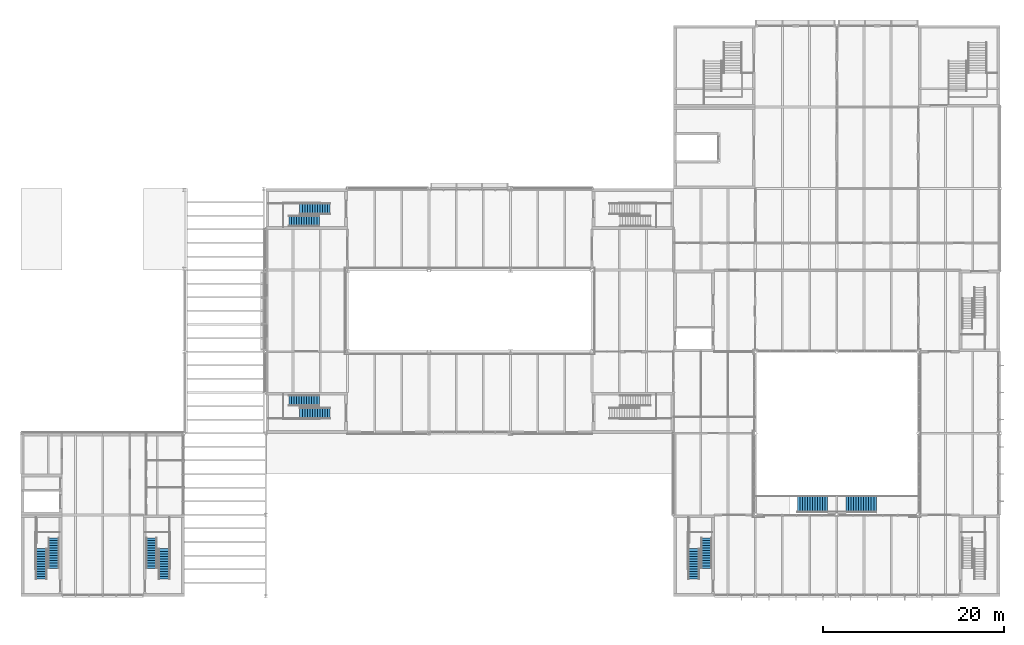
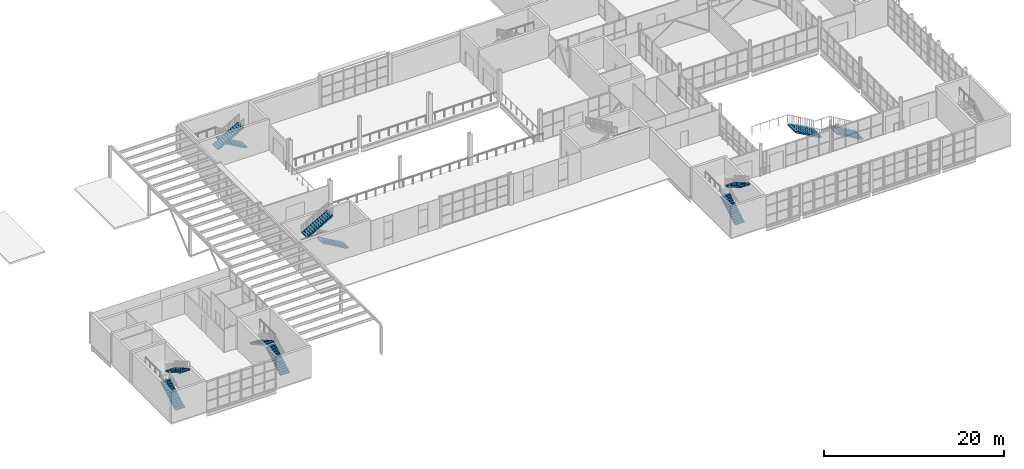
# One storey, part 37 of 57: 12 stair flights, 6 elements without a shape of their own.
"""IFC4 building model written with IfcOpenShell, lengths in metres."""

from ifc_helpers import new_model, si_unit, direction, frame, origin, place, context, subcontext, project, spatial, polyline, outline, extrude, material, type_object, element, aggregate, save


model = new_model("IFC4")

# Units and contexts
model_context = context("Model", 3, precision=1e-05, world=origin(), true_north=direction((0.0, 1.0)))
body_context = subcontext(model_context, "Body", "Model", "MODEL_VIEW")
ifc_project = project(units=[si_unit("LENGTHUNIT", "METRE"), si_unit("AREAUNIT", "SQUARE_METRE"), si_unit("VOLUMEUNIT", "CUBIC_METRE"), si_unit("PLANEANGLEUNIT", "RADIAN"), si_unit("MASSUNIT", "GRAM", prefix="KILO")], contexts=[model_context])

# Site, building, storey
site_placement = place(None, origin())
site = spatial("IfcSite", under=ifc_project, at=site_placement, CompositionType="ELEMENT")
building_placement = place(site_placement, origin())
building = spatial("IfcBuilding", under=site, at=building_placement, Name="Halyard Row Museum", CompositionType="ELEMENT")
storey_placement = place(building_placement, frame((0.0, 0.0, 5.0)))
storey = spatial("IfcBuildingStorey", under=building, at=storey_placement, Name="L01", CompositionType="ELEMENT", Elevation=5.0)

# Stair, stair flights
ifc_material_1 = material(Name="Concrete 40 MPa", Category="concrete")
stair_type_1 = type_object("IfcStairType", Name="Exit stair two flights 1200", PredefinedType="HALF_TURN_STAIR", material=ifc_material_1)
stair_1_placement = place(storey_placement, origin())
stair_1 = element("IfcStair", 1, at=stair_1_placement, inside=storey, type_object=stair_type_1, Name="Exit stair K1A L01", PredefinedType="HALF_TURN_STAIR")
ifc_material_2 = material(Name="Concrete 40 MPa", Category="concrete")
stair_flight_type_1 = type_object("IfcStairFlightType", Name="Exit stair flight 1200", PredefinedType="STRAIGHT", material=ifc_material_2)
stair_flight_1_placement = place(storey_placement, frame((34.10009765625, 42.75, 0.0), z_axis=(0.0, 0.0, 1.0), x_axis=(-1.0, 0.0, 0.0)))
stair_flight_1 = element("IfcStairFlight", 2, at=stair_flight_1_placement, type_object=stair_flight_type_1, Name="STK1A-L01 flight 1", NumberOfRisers=13, NumberOfTreads=12, PredefinedType="STRAIGHT", RiserHeight=0.161538462, TreadLength=0.28, context=body_context, shape_type="SweptSolid", body=[
    extrude(outline(polyline([(0.0, 0.0), (0.0, 0.16162109375), (0.280029296875, 0.16162109375), (0.280029296875, 0.322998046875), (0.56005859375, 0.322998046875), (0.56005859375, 0.484619140625), (0.840087890625, 0.484619140625), (0.840087890625, 0.646240234375), (1.1201171875, 0.646240234375), (1.1201171875, 0.8076171875), (1.39990234375, 0.8076171875), (1.39990234375, 0.96923828125), (1.679931640625, 0.96923828125), (1.679931640625, 1.130859375), (1.9599609375, 1.130859375), (1.9599609375, 1.292236328125), (2.239990234375, 1.292236328125), (2.239990234375, 1.453857421875), (2.52001953125, 1.453857421875), (2.52001953125, 1.615478515625), (2.800048828125, 1.615478515625), (2.800048828125, 1.77685546875), (3.080078125, 1.77685546875), (3.080078125, 1.9384765625), (3.360107421875, 1.9384765625), (3.360107421875, 2.10009765625), (3.360107421875, 1.765380859375), (0.300048828125, 0.0), (0.0, 0.0)])), frame((0.0, 0.60009765625, 0.0), z_axis=(0.0, -1.0, 0.0), x_axis=(1.0, 0.0, 0.0)), (0.0, 0.0, 1.0), 0.59912109375),
    extrude(outline(polyline([(0.0, 0.0), (0.0, 0.16162109375), (0.280029296875, 0.16162109375), (0.280029296875, 0.322998046875), (0.56005859375, 0.322998046875), (0.56005859375, 0.484619140625), (0.840087890625, 0.484619140625), (0.840087890625, 0.646240234375), (1.1201171875, 0.646240234375), (1.1201171875, 0.8076171875), (1.39990234375, 0.8076171875), (1.39990234375, 0.96923828125), (1.679931640625, 0.96923828125), (1.679931640625, 1.130859375), (1.9599609375, 1.130859375), (1.9599609375, 1.292236328125), (2.239990234375, 1.292236328125), (2.239990234375, 1.453857421875), (2.52001953125, 1.453857421875), (2.52001953125, 1.615478515625), (2.800048828125, 1.615478515625), (2.800048828125, 1.77685546875), (3.080078125, 1.77685546875), (3.080078125, 1.9384765625), (3.360107421875, 1.9384765625), (3.360107421875, 2.10009765625), (3.360107421875, 1.765380859375), (0.300048828125, 0.0), (0.0, 0.0)])), frame((0.0, -0.0009765625, 0.0), z_axis=(0.0, -1.0, 0.0), x_axis=(1.0, 0.0, 0.0)), (0.0, 0.0, 1.0), 0.59912109375),
])
stair_flight_2_placement = place(storey_placement, frame((29.5400390625, 41.39990234375, 2.10009765625), z_axis=(0.0, 0.0, 1.0), x_axis=(1.0, 0.0, 0.0)))
stair_flight_2 = element("IfcStairFlight", 3, at=stair_flight_2_placement, type_object=stair_flight_type_1, Name="STK1A-L01 flight 2", NumberOfRisers=13, NumberOfTreads=12, PredefinedType="STRAIGHT", RiserHeight=0.161538462, TreadLength=0.28, context=body_context, shape_type="SweptSolid", body=[
    extrude(outline(polyline([(0.0, 0.0), (0.0, 0.16162109375), (0.280029296875, 0.16162109375), (0.280029296875, 0.322998046875), (0.56005859375, 0.322998046875), (0.56005859375, 0.484619140625), (0.840087890625, 0.484619140625), (0.840087890625, 0.646240234375), (1.1201171875, 0.646240234375), (1.1201171875, 0.8076171875), (1.39990234375, 0.8076171875), (1.39990234375, 0.96923828125), (1.679931640625, 0.96923828125), (1.679931640625, 1.130859375), (1.9599609375, 1.130859375), (1.9599609375, 1.292236328125), (2.239990234375, 1.292236328125), (2.239990234375, 1.453857421875), (2.52001953125, 1.453857421875), (2.52001953125, 1.615478515625), (2.800048828125, 1.615478515625), (2.800048828125, 1.77685546875), (3.080078125, 1.77685546875), (3.080078125, 1.9384765625), (3.360107421875, 1.9384765625), (3.360107421875, 2.10009765625), (3.360107421875, 1.765380859375), (0.300048828125, 0.0), (0.0, 0.0)])), frame((0.0, 0.60009765625, 0.0), z_axis=(0.0, -1.0, 0.0), x_axis=(1.0, 0.0, 0.0)), (0.0, 0.0, 1.0), 0.59912109375),
    extrude(outline(polyline([(0.0, 0.0), (0.0, 0.16162109375), (0.280029296875, 0.16162109375), (0.280029296875, 0.322998046875), (0.56005859375, 0.322998046875), (0.56005859375, 0.484619140625), (0.840087890625, 0.484619140625), (0.840087890625, 0.646240234375), (1.1201171875, 0.646240234375), (1.1201171875, 0.8076171875), (1.39990234375, 0.8076171875), (1.39990234375, 0.96923828125), (1.679931640625, 0.96923828125), (1.679931640625, 1.130859375), (1.9599609375, 1.130859375), (1.9599609375, 1.292236328125), (2.239990234375, 1.292236328125), (2.239990234375, 1.453857421875), (2.52001953125, 1.453857421875), (2.52001953125, 1.615478515625), (2.800048828125, 1.615478515625), (2.800048828125, 1.77685546875), (3.080078125, 1.77685546875), (3.080078125, 1.9384765625), (3.360107421875, 1.9384765625), (3.360107421875, 2.10009765625), (3.360107421875, 1.765380859375), (0.300048828125, 0.0), (0.0, 0.0)])), frame((0.0, -0.0009765625, 0.0), z_axis=(0.0, -1.0, 0.0), x_axis=(1.0, 0.0, 0.0)), (0.0, 0.0, 1.0), 0.59912109375),
])
aggregate(stair_1, [stair_flight_1, stair_flight_2])

stair_2_placement = place(storey_placement, origin())
stair_2 = element("IfcStair", 4, at=stair_2_placement, inside=storey, type_object=stair_type_1, Name="Exit stair K1D L01", PredefinedType="HALF_TURN_STAIR")
stair_flight_3_placement = place(storey_placement, frame((34.10009765625, 20.25, 0.0), z_axis=(0.0, 0.0, 1.0), x_axis=(-1.0, 0.0, 0.0)))
stair_flight_3 = element("IfcStairFlight", 5, at=stair_flight_3_placement, type_object=stair_flight_type_1, Name="STK1D-L01 flight 1", NumberOfRisers=13, NumberOfTreads=12, PredefinedType="STRAIGHT", RiserHeight=0.161538462, TreadLength=0.28, context=body_context, shape_type="SweptSolid", body=[
    extrude(outline(polyline([(0.0, 0.0), (0.0, 0.16162109375), (0.280029296875, 0.16162109375), (0.280029296875, 0.322998046875), (0.56005859375, 0.322998046875), (0.56005859375, 0.484619140625), (0.840087890625, 0.484619140625), (0.840087890625, 0.646240234375), (1.1201171875, 0.646240234375), (1.1201171875, 0.8076171875), (1.39990234375, 0.8076171875), (1.39990234375, 0.96923828125), (1.679931640625, 0.96923828125), (1.679931640625, 1.130859375), (1.9599609375, 1.130859375), (1.9599609375, 1.292236328125), (2.239990234375, 1.292236328125), (2.239990234375, 1.453857421875), (2.52001953125, 1.453857421875), (2.52001953125, 1.615478515625), (2.800048828125, 1.615478515625), (2.800048828125, 1.77685546875), (3.080078125, 1.77685546875), (3.080078125, 1.9384765625), (3.360107421875, 1.9384765625), (3.360107421875, 2.10009765625), (3.360107421875, 1.765380859375), (0.300048828125, 0.0), (0.0, 0.0)])), frame((0.0, 0.60009765625, 0.0), z_axis=(0.0, -1.0, 0.0), x_axis=(1.0, 0.0, 0.0)), (0.0, 0.0, 1.0), 0.59912109375),
    extrude(outline(polyline([(0.0, 0.0), (0.0, 0.16162109375), (0.280029296875, 0.16162109375), (0.280029296875, 0.322998046875), (0.56005859375, 0.322998046875), (0.56005859375, 0.484619140625), (0.840087890625, 0.484619140625), (0.840087890625, 0.646240234375), (1.1201171875, 0.646240234375), (1.1201171875, 0.8076171875), (1.39990234375, 0.8076171875), (1.39990234375, 0.96923828125), (1.679931640625, 0.96923828125), (1.679931640625, 1.130859375), (1.9599609375, 1.130859375), (1.9599609375, 1.292236328125), (2.239990234375, 1.292236328125), (2.239990234375, 1.453857421875), (2.52001953125, 1.453857421875), (2.52001953125, 1.615478515625), (2.800048828125, 1.615478515625), (2.800048828125, 1.77685546875), (3.080078125, 1.77685546875), (3.080078125, 1.9384765625), (3.360107421875, 1.9384765625), (3.360107421875, 2.10009765625), (3.360107421875, 1.765380859375), (0.300048828125, 0.0), (0.0, 0.0)])), frame((0.0, -0.0009765625, 0.0), z_axis=(0.0, -1.0, 0.0), x_axis=(1.0, 0.0, 0.0)), (0.0, 0.0, 1.0), 0.59912109375),
])
stair_flight_4_placement = place(storey_placement, frame((29.5400390625, 21.60009765625, 2.10009765625), z_axis=(0.0, 0.0, 1.0), x_axis=(1.0, 0.0, 0.0)))
stair_flight_4 = element("IfcStairFlight", 6, at=stair_flight_4_placement, type_object=stair_flight_type_1, Name="STK1D-L01 flight 2", NumberOfRisers=13, NumberOfTreads=12, PredefinedType="STRAIGHT", RiserHeight=0.161538462, TreadLength=0.28, context=body_context, shape_type="SweptSolid", body=[
    extrude(outline(polyline([(0.0, 0.0), (0.0, 0.16162109375), (0.280029296875, 0.16162109375), (0.280029296875, 0.322998046875), (0.56005859375, 0.322998046875), (0.56005859375, 0.484619140625), (0.840087890625, 0.484619140625), (0.840087890625, 0.646240234375), (1.1201171875, 0.646240234375), (1.1201171875, 0.8076171875), (1.39990234375, 0.8076171875), (1.39990234375, 0.96923828125), (1.679931640625, 0.96923828125), (1.679931640625, 1.130859375), (1.9599609375, 1.130859375), (1.9599609375, 1.292236328125), (2.239990234375, 1.292236328125), (2.239990234375, 1.453857421875), (2.52001953125, 1.453857421875), (2.52001953125, 1.615478515625), (2.800048828125, 1.615478515625), (2.800048828125, 1.77685546875), (3.080078125, 1.77685546875), (3.080078125, 1.9384765625), (3.360107421875, 1.9384765625), (3.360107421875, 2.10009765625), (3.360107421875, 1.765380859375), (0.300048828125, 0.0), (0.0, 0.0)])), frame((0.0, 0.60009765625, 0.0), z_axis=(0.0, -1.0, 0.0), x_axis=(1.0, 0.0, 0.0)), (0.0, 0.0, 1.0), 0.59912109375),
    extrude(outline(polyline([(0.0, 0.0), (0.0, 0.16162109375), (0.280029296875, 0.16162109375), (0.280029296875, 0.322998046875), (0.56005859375, 0.322998046875), (0.56005859375, 0.484619140625), (0.840087890625, 0.484619140625), (0.840087890625, 0.646240234375), (1.1201171875, 0.646240234375), (1.1201171875, 0.8076171875), (1.39990234375, 0.8076171875), (1.39990234375, 0.96923828125), (1.679931640625, 0.96923828125), (1.679931640625, 1.130859375), (1.9599609375, 1.130859375), (1.9599609375, 1.292236328125), (2.239990234375, 1.292236328125), (2.239990234375, 1.453857421875), (2.52001953125, 1.453857421875), (2.52001953125, 1.615478515625), (2.800048828125, 1.615478515625), (2.800048828125, 1.77685546875), (3.080078125, 1.77685546875), (3.080078125, 1.9384765625), (3.360107421875, 1.9384765625), (3.360107421875, 2.10009765625), (3.360107421875, 1.765380859375), (0.300048828125, 0.0), (0.0, 0.0)])), frame((0.0, -0.0009765625, 0.0), z_axis=(0.0, -1.0, 0.0), x_axis=(1.0, 0.0, 0.0)), (0.0, 0.0, 1.0), 0.59912109375),
])
aggregate(stair_2, [stair_flight_3, stair_flight_4])

stair_3_placement = place(storey_placement, origin())
stair_3 = element("IfcStair", 7, at=stair_3_placement, inside=storey, type_object=stair_type_1, Name="Exit stair K2A L01", PredefinedType="HALF_TURN_STAIR")
stair_flight_5_placement = place(storey_placement, frame((74.25, 1.89990234375, 0.0), z_axis=(0.0, 0.0, 1.0), x_axis=(0.0, 1.0, 0.0)))
stair_flight_5 = element("IfcStairFlight", 8, at=stair_flight_5_placement, type_object=stair_flight_type_1, Name="STK2A-L01 flight 1", NumberOfRisers=13, NumberOfTreads=12, PredefinedType="STRAIGHT", RiserHeight=0.161538462, TreadLength=0.28, context=body_context, shape_type="SweptSolid", body=[
    extrude(outline(polyline([(0.0, 0.0), (0.0, 0.16162109375), (0.280029296875, 0.16162109375), (0.280029296875, 0.322998046875), (0.56005859375, 0.322998046875), (0.56005859375, 0.484619140625), (0.840087890625, 0.484619140625), (0.840087890625, 0.646240234375), (1.1201171875, 0.646240234375), (1.1201171875, 0.8076171875), (1.39990234375, 0.8076171875), (1.39990234375, 0.96923828125), (1.679931640625, 0.96923828125), (1.679931640625, 1.130859375), (1.9599609375, 1.130859375), (1.9599609375, 1.292236328125), (2.239990234375, 1.292236328125), (2.239990234375, 1.453857421875), (2.52001953125, 1.453857421875), (2.52001953125, 1.615478515625), (2.800048828125, 1.615478515625), (2.800048828125, 1.77685546875), (3.080078125, 1.77685546875), (3.080078125, 1.9384765625), (3.360107421875, 1.9384765625), (3.360107421875, 2.10009765625), (3.360107421875, 1.765380859375), (0.300048828125, 0.0), (0.0, 0.0)])), frame((0.0, 0.60009765625, 0.0), z_axis=(0.0, -1.0, 0.0), x_axis=(1.0, 0.0, 0.0)), (0.0, 0.0, 1.0), 0.59912109375),
    extrude(outline(polyline([(0.0, 0.0), (0.0, 0.16162109375), (0.280029296875, 0.16162109375), (0.280029296875, 0.322998046875), (0.56005859375, 0.322998046875), (0.56005859375, 0.484619140625), (0.840087890625, 0.484619140625), (0.840087890625, 0.646240234375), (1.1201171875, 0.646240234375), (1.1201171875, 0.8076171875), (1.39990234375, 0.8076171875), (1.39990234375, 0.96923828125), (1.679931640625, 0.96923828125), (1.679931640625, 1.130859375), (1.9599609375, 1.130859375), (1.9599609375, 1.292236328125), (2.239990234375, 1.292236328125), (2.239990234375, 1.453857421875), (2.52001953125, 1.453857421875), (2.52001953125, 1.615478515625), (2.800048828125, 1.615478515625), (2.800048828125, 1.77685546875), (3.080078125, 1.77685546875), (3.080078125, 1.9384765625), (3.360107421875, 1.9384765625), (3.360107421875, 2.10009765625), (3.360107421875, 1.765380859375), (0.300048828125, 0.0), (0.0, 0.0)])), frame((0.0, -0.0009765625, 0.0), z_axis=(0.0, -1.0, 0.0), x_axis=(1.0, 0.0, 0.0)), (0.0, 0.0, 1.0), 0.59912109375),
])
stair_flight_6_placement = place(storey_placement, frame((75.60009765625, 6.4599609375, 2.10009765625), z_axis=(0.0, 0.0, 1.0), x_axis=(0.0, -1.0, 0.0)))
stair_flight_6 = element("IfcStairFlight", 9, at=stair_flight_6_placement, type_object=stair_flight_type_1, Name="STK2A-L01 flight 2", NumberOfRisers=13, NumberOfTreads=12, PredefinedType="STRAIGHT", RiserHeight=0.161538462, TreadLength=0.28, context=body_context, shape_type="SweptSolid", body=[
    extrude(outline(polyline([(0.0, 0.0), (0.0, 0.16162109375), (0.280029296875, 0.16162109375), (0.280029296875, 0.322998046875), (0.56005859375, 0.322998046875), (0.56005859375, 0.484619140625), (0.840087890625, 0.484619140625), (0.840087890625, 0.646240234375), (1.1201171875, 0.646240234375), (1.1201171875, 0.8076171875), (1.39990234375, 0.8076171875), (1.39990234375, 0.96923828125), (1.679931640625, 0.96923828125), (1.679931640625, 1.130859375), (1.9599609375, 1.130859375), (1.9599609375, 1.292236328125), (2.239990234375, 1.292236328125), (2.239990234375, 1.453857421875), (2.52001953125, 1.453857421875), (2.52001953125, 1.615478515625), (2.800048828125, 1.615478515625), (2.800048828125, 1.77685546875), (3.080078125, 1.77685546875), (3.080078125, 1.9384765625), (3.360107421875, 1.9384765625), (3.360107421875, 2.10009765625), (3.360107421875, 1.765380859375), (0.300048828125, 0.0), (0.0, 0.0)])), frame((0.0, 0.60009765625, 0.0), z_axis=(0.0, -1.0, 0.0), x_axis=(1.0, 0.0, 0.0)), (0.0, 0.0, 1.0), 0.59912109375),
    extrude(outline(polyline([(0.0, 0.0), (0.0, 0.16162109375), (0.280029296875, 0.16162109375), (0.280029296875, 0.322998046875), (0.56005859375, 0.322998046875), (0.56005859375, 0.484619140625), (0.840087890625, 0.484619140625), (0.840087890625, 0.646240234375), (1.1201171875, 0.646240234375), (1.1201171875, 0.8076171875), (1.39990234375, 0.8076171875), (1.39990234375, 0.96923828125), (1.679931640625, 0.96923828125), (1.679931640625, 1.130859375), (1.9599609375, 1.130859375), (1.9599609375, 1.292236328125), (2.239990234375, 1.292236328125), (2.239990234375, 1.453857421875), (2.52001953125, 1.453857421875), (2.52001953125, 1.615478515625), (2.800048828125, 1.615478515625), (2.800048828125, 1.77685546875), (3.080078125, 1.77685546875), (3.080078125, 1.9384765625), (3.360107421875, 1.9384765625), (3.360107421875, 2.10009765625), (3.360107421875, 1.765380859375), (0.300048828125, 0.0), (0.0, 0.0)])), frame((0.0, -0.0009765625, 0.0), z_axis=(0.0, -1.0, 0.0), x_axis=(1.0, 0.0, 0.0)), (0.0, 0.0, 1.0), 0.59912109375),
])
aggregate(stair_3, [stair_flight_5, stair_flight_6])

stair_4_placement = place(storey_placement, origin())
stair_4 = element("IfcStair", 10, at=stair_4_placement, inside=storey, type_object=stair_type_1, Name="Exit stair K3E L01", PredefinedType="HALF_TURN_STAIR")
stair_flight_7_placement = place(storey_placement, frame((15.75, 1.89990234375, 0.0), z_axis=(0.0, 0.0, 1.0), x_axis=(0.0, 1.0, 0.0)))
stair_flight_7 = element("IfcStairFlight", 11, at=stair_flight_7_placement, type_object=stair_flight_type_1, Name="STK3E-L01 flight 1", NumberOfRisers=13, NumberOfTreads=12, PredefinedType="STRAIGHT", RiserHeight=0.161538462, TreadLength=0.28, context=body_context, shape_type="SweptSolid", body=[
    extrude(outline(polyline([(0.0, 0.0), (0.0, 0.16162109375), (0.280029296875, 0.16162109375), (0.280029296875, 0.322998046875), (0.56005859375, 0.322998046875), (0.56005859375, 0.484619140625), (0.840087890625, 0.484619140625), (0.840087890625, 0.646240234375), (1.1201171875, 0.646240234375), (1.1201171875, 0.8076171875), (1.39990234375, 0.8076171875), (1.39990234375, 0.96923828125), (1.679931640625, 0.96923828125), (1.679931640625, 1.130859375), (1.9599609375, 1.130859375), (1.9599609375, 1.292236328125), (2.239990234375, 1.292236328125), (2.239990234375, 1.453857421875), (2.52001953125, 1.453857421875), (2.52001953125, 1.615478515625), (2.800048828125, 1.615478515625), (2.800048828125, 1.77685546875), (3.080078125, 1.77685546875), (3.080078125, 1.9384765625), (3.360107421875, 1.9384765625), (3.360107421875, 2.10009765625), (3.360107421875, 1.765380859375), (0.300048828125, 0.0), (0.0, 0.0)])), frame((0.0, 0.60009765625, 0.0), z_axis=(0.0, -1.0, 0.0), x_axis=(1.0, 0.0, 0.0)), (0.0, 0.0, 1.0), 0.59912109375),
    extrude(outline(polyline([(0.0, 0.0), (0.0, 0.16162109375), (0.280029296875, 0.16162109375), (0.280029296875, 0.322998046875), (0.56005859375, 0.322998046875), (0.56005859375, 0.484619140625), (0.840087890625, 0.484619140625), (0.840087890625, 0.646240234375), (1.1201171875, 0.646240234375), (1.1201171875, 0.8076171875), (1.39990234375, 0.8076171875), (1.39990234375, 0.96923828125), (1.679931640625, 0.96923828125), (1.679931640625, 1.130859375), (1.9599609375, 1.130859375), (1.9599609375, 1.292236328125), (2.239990234375, 1.292236328125), (2.239990234375, 1.453857421875), (2.52001953125, 1.453857421875), (2.52001953125, 1.615478515625), (2.800048828125, 1.615478515625), (2.800048828125, 1.77685546875), (3.080078125, 1.77685546875), (3.080078125, 1.9384765625), (3.360107421875, 1.9384765625), (3.360107421875, 2.10009765625), (3.360107421875, 1.765380859375), (0.300048828125, 0.0), (0.0, 0.0)])), frame((0.0, -0.0009765625, 0.0), z_axis=(0.0, -1.0, 0.0), x_axis=(1.0, 0.0, 0.0)), (0.0, 0.0, 1.0), 0.59912109375),
])
stair_flight_8_placement = place(storey_placement, frame((14.39990234375, 6.4599609375, 2.10009765625), z_axis=(0.0, 0.0, 1.0), x_axis=(0.0, -1.0, 0.0)))
stair_flight_8 = element("IfcStairFlight", 12, at=stair_flight_8_placement, type_object=stair_flight_type_1, Name="STK3E-L01 flight 2", NumberOfRisers=13, NumberOfTreads=12, PredefinedType="STRAIGHT", RiserHeight=0.161538462, TreadLength=0.28, context=body_context, shape_type="SweptSolid", body=[
    extrude(outline(polyline([(0.0, 0.0), (0.0, 0.16162109375), (0.280029296875, 0.16162109375), (0.280029296875, 0.322998046875), (0.56005859375, 0.322998046875), (0.56005859375, 0.484619140625), (0.840087890625, 0.484619140625), (0.840087890625, 0.646240234375), (1.1201171875, 0.646240234375), (1.1201171875, 0.8076171875), (1.39990234375, 0.8076171875), (1.39990234375, 0.96923828125), (1.679931640625, 0.96923828125), (1.679931640625, 1.130859375), (1.9599609375, 1.130859375), (1.9599609375, 1.292236328125), (2.239990234375, 1.292236328125), (2.239990234375, 1.453857421875), (2.52001953125, 1.453857421875), (2.52001953125, 1.615478515625), (2.800048828125, 1.615478515625), (2.800048828125, 1.77685546875), (3.080078125, 1.77685546875), (3.080078125, 1.9384765625), (3.360107421875, 1.9384765625), (3.360107421875, 2.10009765625), (3.360107421875, 1.765380859375), (0.300048828125, 0.0), (0.0, 0.0)])), frame((0.0, 0.60009765625, 0.0), z_axis=(0.0, -1.0, 0.0), x_axis=(1.0, 0.0, 0.0)), (0.0, 0.0, 1.0), 0.59912109375),
    extrude(outline(polyline([(0.0, 0.0), (0.0, 0.16162109375), (0.280029296875, 0.16162109375), (0.280029296875, 0.322998046875), (0.56005859375, 0.322998046875), (0.56005859375, 0.484619140625), (0.840087890625, 0.484619140625), (0.840087890625, 0.646240234375), (1.1201171875, 0.646240234375), (1.1201171875, 0.8076171875), (1.39990234375, 0.8076171875), (1.39990234375, 0.96923828125), (1.679931640625, 0.96923828125), (1.679931640625, 1.130859375), (1.9599609375, 1.130859375), (1.9599609375, 1.292236328125), (2.239990234375, 1.292236328125), (2.239990234375, 1.453857421875), (2.52001953125, 1.453857421875), (2.52001953125, 1.615478515625), (2.800048828125, 1.615478515625), (2.800048828125, 1.77685546875), (3.080078125, 1.77685546875), (3.080078125, 1.9384765625), (3.360107421875, 1.9384765625), (3.360107421875, 2.10009765625), (3.360107421875, 1.765380859375), (0.300048828125, 0.0), (0.0, 0.0)])), frame((0.0, -0.0009765625, 0.0), z_axis=(0.0, -1.0, 0.0), x_axis=(1.0, 0.0, 0.0)), (0.0, 0.0, 1.0), 0.59912109375),
])
aggregate(stair_4, [stair_flight_7, stair_flight_8])

stair_5_placement = place(storey_placement, origin())
stair_5 = element("IfcStair", 13, at=stair_5_placement, inside=storey, type_object=stair_type_1, Name="Exit stair K3S L01", PredefinedType="HALF_TURN_STAIR")
stair_flight_9_placement = place(storey_placement, frame((2.25, 1.89990234375, 0.0), z_axis=(0.0, 0.0, 1.0), x_axis=(0.0, 1.0, 0.0)))
stair_flight_9 = element("IfcStairFlight", 14, at=stair_flight_9_placement, type_object=stair_flight_type_1, Name="STK3S-L01 flight 1", NumberOfRisers=13, NumberOfTreads=12, PredefinedType="STRAIGHT", RiserHeight=0.161538462, TreadLength=0.28, context=body_context, shape_type="SweptSolid", body=[
    extrude(outline(polyline([(0.0, 0.0), (0.0, 0.16162109375), (0.280029296875, 0.16162109375), (0.280029296875, 0.322998046875), (0.56005859375, 0.322998046875), (0.56005859375, 0.484619140625), (0.840087890625, 0.484619140625), (0.840087890625, 0.646240234375), (1.1201171875, 0.646240234375), (1.1201171875, 0.8076171875), (1.39990234375, 0.8076171875), (1.39990234375, 0.96923828125), (1.679931640625, 0.96923828125), (1.679931640625, 1.130859375), (1.9599609375, 1.130859375), (1.9599609375, 1.292236328125), (2.239990234375, 1.292236328125), (2.239990234375, 1.453857421875), (2.52001953125, 1.453857421875), (2.52001953125, 1.615478515625), (2.800048828125, 1.615478515625), (2.800048828125, 1.77685546875), (3.080078125, 1.77685546875), (3.080078125, 1.9384765625), (3.360107421875, 1.9384765625), (3.360107421875, 2.10009765625), (3.360107421875, 1.765380859375), (0.300048828125, 0.0), (0.0, 0.0)])), frame((0.0, 0.60009765625, 0.0), z_axis=(0.0, -1.0, 0.0), x_axis=(1.0, 0.0, 0.0)), (0.0, 0.0, 1.0), 0.59912109375),
    extrude(outline(polyline([(0.0, 0.0), (0.0, 0.16162109375), (0.280029296875, 0.16162109375), (0.280029296875, 0.322998046875), (0.56005859375, 0.322998046875), (0.56005859375, 0.484619140625), (0.840087890625, 0.484619140625), (0.840087890625, 0.646240234375), (1.1201171875, 0.646240234375), (1.1201171875, 0.8076171875), (1.39990234375, 0.8076171875), (1.39990234375, 0.96923828125), (1.679931640625, 0.96923828125), (1.679931640625, 1.130859375), (1.9599609375, 1.130859375), (1.9599609375, 1.292236328125), (2.239990234375, 1.292236328125), (2.239990234375, 1.453857421875), (2.52001953125, 1.453857421875), (2.52001953125, 1.615478515625), (2.800048828125, 1.615478515625), (2.800048828125, 1.77685546875), (3.080078125, 1.77685546875), (3.080078125, 1.9384765625), (3.360107421875, 1.9384765625), (3.360107421875, 2.10009765625), (3.360107421875, 1.765380859375), (0.300048828125, 0.0), (0.0, 0.0)])), frame((0.0, -0.0009765625, 0.0), z_axis=(0.0, -1.0, 0.0), x_axis=(1.0, 0.0, 0.0)), (0.0, 0.0, 1.0), 0.59912109375),
])
stair_flight_10_placement = place(storey_placement, frame((3.60009765625, 6.4599609375, 2.10009765625), z_axis=(0.0, 0.0, 1.0), x_axis=(0.0, -1.0, 0.0)))
stair_flight_10 = element("IfcStairFlight", 15, at=stair_flight_10_placement, type_object=stair_flight_type_1, Name="STK3S-L01 flight 2", NumberOfRisers=13, NumberOfTreads=12, PredefinedType="STRAIGHT", RiserHeight=0.161538462, TreadLength=0.28, context=body_context, shape_type="SweptSolid", body=[
    extrude(outline(polyline([(0.0, 0.0), (0.0, 0.16162109375), (0.280029296875, 0.16162109375), (0.280029296875, 0.322998046875), (0.56005859375, 0.322998046875), (0.56005859375, 0.484619140625), (0.840087890625, 0.484619140625), (0.840087890625, 0.646240234375), (1.1201171875, 0.646240234375), (1.1201171875, 0.8076171875), (1.39990234375, 0.8076171875), (1.39990234375, 0.96923828125), (1.679931640625, 0.96923828125), (1.679931640625, 1.130859375), (1.9599609375, 1.130859375), (1.9599609375, 1.292236328125), (2.239990234375, 1.292236328125), (2.239990234375, 1.453857421875), (2.52001953125, 1.453857421875), (2.52001953125, 1.615478515625), (2.800048828125, 1.615478515625), (2.800048828125, 1.77685546875), (3.080078125, 1.77685546875), (3.080078125, 1.9384765625), (3.360107421875, 1.9384765625), (3.360107421875, 2.10009765625), (3.360107421875, 1.765380859375), (0.300048828125, 0.0), (0.0, 0.0)])), frame((0.0, 0.60009765625, 0.0), z_axis=(0.0, -1.0, 0.0), x_axis=(1.0, 0.0, 0.0)), (0.0, 0.0, 1.0), 0.59912109375),
    extrude(outline(polyline([(0.0, 0.0), (0.0, 0.16162109375), (0.280029296875, 0.16162109375), (0.280029296875, 0.322998046875), (0.56005859375, 0.322998046875), (0.56005859375, 0.484619140625), (0.840087890625, 0.484619140625), (0.840087890625, 0.646240234375), (1.1201171875, 0.646240234375), (1.1201171875, 0.8076171875), (1.39990234375, 0.8076171875), (1.39990234375, 0.96923828125), (1.679931640625, 0.96923828125), (1.679931640625, 1.130859375), (1.9599609375, 1.130859375), (1.9599609375, 1.292236328125), (2.239990234375, 1.292236328125), (2.239990234375, 1.453857421875), (2.52001953125, 1.453857421875), (2.52001953125, 1.615478515625), (2.800048828125, 1.615478515625), (2.800048828125, 1.77685546875), (3.080078125, 1.77685546875), (3.080078125, 1.9384765625), (3.360107421875, 1.9384765625), (3.360107421875, 2.10009765625), (3.360107421875, 1.765380859375), (0.300048828125, 0.0), (0.0, 0.0)])), frame((0.0, -0.0009765625, 0.0), z_axis=(0.0, -1.0, 0.0), x_axis=(1.0, 0.0, 0.0)), (0.0, 0.0, 1.0), 0.59912109375),
])
aggregate(stair_5, [stair_flight_9, stair_flight_10])

ifc_material_3 = material(Name="Steel Grade 350", Category="steel")
stair_type_2 = type_object("IfcStairType", Name="Feature stair two flights 1800", PredefinedType="HALF_TURN_STAIR", material=ifc_material_3)
stair_6_placement = place(storey_placement, origin())
stair_6 = element("IfcStair", 16, at=stair_6_placement, inside=storey, type_object=stair_type_2, Name="Feature stair L01", PredefinedType="HALF_TURN_STAIR")
ifc_material_4 = material(Name="Steel Grade 350", Category="steel")
stair_flight_type_2 = type_object("IfcStairFlightType", Name="Feature stair flight 1800", PredefinedType="STRAIGHT", material=ifc_material_4)
stair_flight_11_placement = place(storey_placement, frame((94.360107421875, 10.14990234375, 0.0), z_axis=(0.0, 0.0, 1.0), x_axis=(-1.0, 0.0, 0.0)))
stair_flight_11 = element("IfcStairFlight", 17, at=stair_flight_11_placement, type_object=stair_flight_type_2, Name="STF-L01 flight 1", NumberOfRisers=13, NumberOfTreads=12, PredefinedType="STRAIGHT", RiserHeight=0.161538462, TreadLength=0.28, context=body_context, shape_type="SweptSolid", body=[
    extrude(outline(polyline([(0.0, 0.0), (0.0, 0.16162109375), (0.280029296875, 0.16162109375), (0.280029296875, 0.322998046875), (0.56005859375, 0.322998046875), (0.56005859375, 0.484619140625), (0.840087890625, 0.484619140625), (0.840087890625, 0.646240234375), (1.1201171875, 0.646240234375), (1.1201171875, 0.8076171875), (1.39990234375, 0.8076171875), (1.39990234375, 0.96923828125), (1.679931640625, 0.96923828125), (1.679931640625, 1.130859375), (1.9599609375, 1.130859375), (1.9599609375, 1.292236328125), (2.239990234375, 1.292236328125), (2.239990234375, 1.453857421875), (2.52001953125, 1.453857421875), (2.52001953125, 1.615478515625), (2.800048828125, 1.615478515625), (2.800048828125, 1.77685546875), (3.080078125, 1.77685546875), (3.080078125, 1.9384765625), (3.360107421875, 1.9384765625), (3.360107421875, 2.10009765625), (3.360107421875, 1.765380859375), (0.300048828125, 0.0), (0.0, 0.0)])), frame((0.0, 0.89990234375, 0.0), z_axis=(0.0, -1.0, 0.0), x_axis=(1.0, 0.0, 0.0)), (0.0, 0.0, 1.0), 0.89892578125),
    extrude(outline(polyline([(0.0, 0.0), (0.0, 0.16162109375), (0.280029296875, 0.16162109375), (0.280029296875, 0.322998046875), (0.56005859375, 0.322998046875), (0.56005859375, 0.484619140625), (0.840087890625, 0.484619140625), (0.840087890625, 0.646240234375), (1.1201171875, 0.646240234375), (1.1201171875, 0.8076171875), (1.39990234375, 0.8076171875), (1.39990234375, 0.96923828125), (1.679931640625, 0.96923828125), (1.679931640625, 1.130859375), (1.9599609375, 1.130859375), (1.9599609375, 1.292236328125), (2.239990234375, 1.292236328125), (2.239990234375, 1.453857421875), (2.52001953125, 1.453857421875), (2.52001953125, 1.615478515625), (2.800048828125, 1.615478515625), (2.800048828125, 1.77685546875), (3.080078125, 1.77685546875), (3.080078125, 1.9384765625), (3.360107421875, 1.9384765625), (3.360107421875, 2.10009765625), (3.360107421875, 1.765380859375), (0.300048828125, 0.0), (0.0, 0.0)])), frame((0.0, -0.0009765625, 0.0), z_axis=(0.0, -1.0, 0.0), x_axis=(1.0, 0.0, 0.0)), (0.0, 0.0, 1.0), 0.89892578125),
])
stair_flight_12_placement = place(storey_placement, frame((89.0, 10.14990234375, 2.10009765625), z_axis=(0.0, 0.0, 1.0), x_axis=(-1.0, 0.0, 0.0)))
stair_flight_12 = element("IfcStairFlight", 18, at=stair_flight_12_placement, type_object=stair_flight_type_2, Name="STF-L01 flight 2", NumberOfRisers=13, NumberOfTreads=12, PredefinedType="STRAIGHT", RiserHeight=0.161538462, TreadLength=0.28, context=body_context, shape_type="SweptSolid", body=[
    extrude(outline(polyline([(0.0, 0.0), (0.0, 0.16162109375), (0.280029296875, 0.16162109375), (0.280029296875, 0.322998046875), (0.56005859375, 0.322998046875), (0.56005859375, 0.484619140625), (0.840087890625, 0.484619140625), (0.840087890625, 0.646240234375), (1.1201171875, 0.646240234375), (1.1201171875, 0.8076171875), (1.39990234375, 0.8076171875), (1.39990234375, 0.96923828125), (1.679931640625, 0.96923828125), (1.679931640625, 1.130859375), (1.9599609375, 1.130859375), (1.9599609375, 1.292236328125), (2.239990234375, 1.292236328125), (2.239990234375, 1.453857421875), (2.52001953125, 1.453857421875), (2.52001953125, 1.615478515625), (2.800048828125, 1.615478515625), (2.800048828125, 1.77685546875), (3.080078125, 1.77685546875), (3.080078125, 1.9384765625), (3.360107421875, 1.9384765625), (3.360107421875, 2.10009765625), (3.360107421875, 1.765380859375), (0.300048828125, 0.0), (0.0, 0.0)])), frame((0.0, 0.89990234375, 0.0), z_axis=(0.0, -1.0, 0.0), x_axis=(1.0, 0.0, 0.0)), (0.0, 0.0, 1.0), 0.89892578125),
    extrude(outline(polyline([(0.0, 0.0), (0.0, 0.16162109375), (0.280029296875, 0.16162109375), (0.280029296875, 0.322998046875), (0.56005859375, 0.322998046875), (0.56005859375, 0.484619140625), (0.840087890625, 0.484619140625), (0.840087890625, 0.646240234375), (1.1201171875, 0.646240234375), (1.1201171875, 0.8076171875), (1.39990234375, 0.8076171875), (1.39990234375, 0.96923828125), (1.679931640625, 0.96923828125), (1.679931640625, 1.130859375), (1.9599609375, 1.130859375), (1.9599609375, 1.292236328125), (2.239990234375, 1.292236328125), (2.239990234375, 1.453857421875), (2.52001953125, 1.453857421875), (2.52001953125, 1.615478515625), (2.800048828125, 1.615478515625), (2.800048828125, 1.77685546875), (3.080078125, 1.77685546875), (3.080078125, 1.9384765625), (3.360107421875, 1.9384765625), (3.360107421875, 2.10009765625), (3.360107421875, 1.765380859375), (0.300048828125, 0.0), (0.0, 0.0)])), frame((0.0, -0.0009765625, 0.0), z_axis=(0.0, -1.0, 0.0), x_axis=(1.0, 0.0, 0.0)), (0.0, 0.0, 1.0), 0.89892578125),
])
aggregate(stair_6, [stair_flight_11, stair_flight_12])

save(model, "model.ifc")
